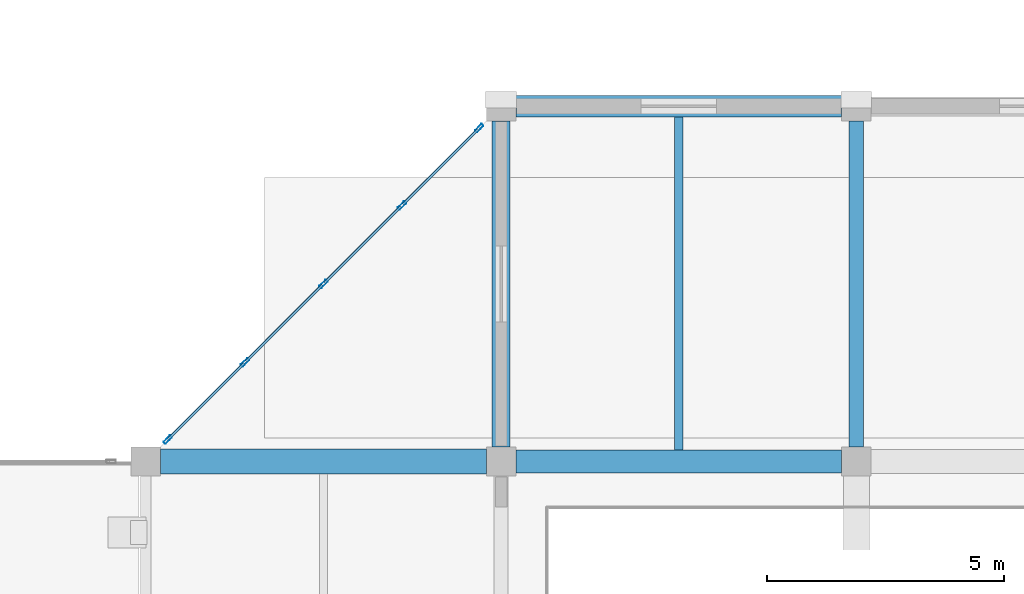
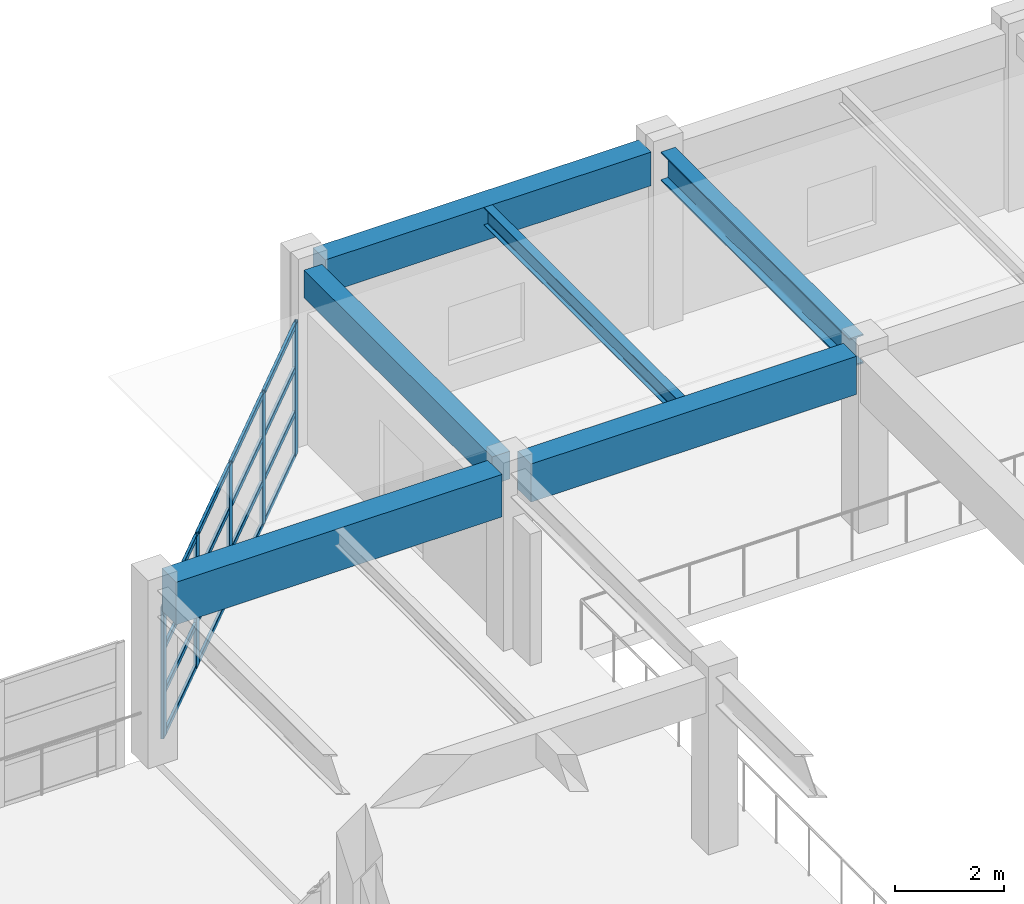
# One storey, part 68 of 132: 21 members, 6 beams, 1 element without a shape of its own.
"""IFC4 building model written with IfcOpenShell, lengths in metres."""

from ifc_helpers import new_model, si_unit, direction, frame, origin, origin_2d, place, context, subcontext, project, spatial, rectangle, hollow_rectangle, i_section, extrude, material, material_profile, profile_set, type_object, element, aggregate, save


model = new_model("IFC4")

# Units and contexts
model_context = context("Model", 3, precision=1e-05, world=origin(), true_north=direction((0.0, 1.0)))
body_context = subcontext(model_context, "Body", "Model", "MODEL_VIEW")
ifc_project = project(units=[si_unit("LENGTHUNIT", "METRE"), si_unit("AREAUNIT", "SQUARE_METRE"), si_unit("VOLUMEUNIT", "CUBIC_METRE"), si_unit("PLANEANGLEUNIT", "RADIAN"), si_unit("MASSUNIT", "GRAM", prefix="KILO")], contexts=[model_context])

# Site, building, storey
site_placement = place(None, origin())
site = spatial("IfcSite", under=ifc_project, at=site_placement, CompositionType="ELEMENT")
building_placement = place(site_placement, origin())
building = spatial("IfcBuilding", under=site, at=building_placement, Name="Qasida Concert Hall", CompositionType="ELEMENT")
storey_placement = place(building_placement, frame((0.0, 0.0, 4.800048828125)))
storey = spatial("IfcBuildingStorey", under=building, at=storey_placement, Name="L01", CompositionType="ELEMENT", Elevation=4.800048828125)

# Beams
ifc_material_1 = material(Name="Concrete C40/50", Category="concrete")
ifc_material_profile_1 = material_profile(ifc_material_1, rectangle(XDim=0.3798828125, YDim=0.6201171875, at=origin_2d()), Name="RC 380x620")
ifc_profile_set_1 = profile_set([ifc_material_profile_1], Name="Concrete C40/50")
beam_type_1 = type_object("IfcBeamType", Name="BM-B10", PredefinedType="BEAM", material=ifc_profile_set_1)
beam_1_placement = place(storey_placement, frame((135.0, 22.81005859375, 3.60986328125), z_axis=(0.0, 1.0, 0.0), x_axis=(-1.0, 0.0, 0.0)))
element("IfcBeam", 1, at=beam_1_placement, inside=storey, type_object=beam_type_1, Name="L01 girder 0875", PredefinedType="BEAM", context=body_context, shape_type="SweptSolid", body=[
    extrude(rectangle(XDim=0.3798828125, YDim=0.6201171875, at=origin_2d()), origin(), (0.0, 0.0, 1.0), 6.8798828125),
])
ifc_material_2 = material(Name="Steel S355J2", Category="steel")
ifc_material_profile_2 = material_profile(ifc_material_2, i_section(OverallWidth=0.300048828125, OverallDepth=0.64990234375, WebThickness=0.01611328125, FlangeThickness=0.031005859375, FilletRadius=0.027099609375, at=origin_2d()), Name="HEB 650")
ifc_profile_set_2 = profile_set([ifc_material_profile_2], Name="Steel S355J2")
beam_type_2 = type_object("IfcBeamType", Name="BM-B13", PredefinedType="BEAM", material=ifc_profile_set_2)
beam_2_placement = place(storey_placement, frame((142.5, 22.81005859375, 3.594970703125), z_axis=(0.0, 1.0, 0.0), x_axis=(-1.0, 0.0, 0.0)))
element("IfcBeam", 2, at=beam_2_placement, inside=storey, type_object=beam_type_2, Name="L01 girder 0878", PredefinedType="BEAM", context=body_context, shape_type="SweptSolid", body=[
    extrude(i_section(OverallWidth=0.300048828125, OverallDepth=0.64990234375, WebThickness=0.01611328125, FlangeThickness=0.031005859375, FilletRadius=0.027099609375, at=origin_2d()), origin(), (0.0, 0.0, 1.0), 6.8798828125),
])
ifc_material_profile_3 = material_profile(ifc_material_1, rectangle(XDim=0.47998046875, YDim=0.85009765625, at=origin_2d()), Name="RC 480x850")
ifc_profile_set_3 = profile_set([ifc_material_profile_3], Name="Concrete C40/50")
beam_type_3 = type_object("IfcBeamType", Name="BM-G6", PredefinedType="USERDEFINED", material=ifc_profile_set_3)
beam_3_placement = place(storey_placement, frame((135.31005859375, 22.5, 3.494873046875), z_axis=(1.0, 0.0, 0.0), x_axis=(0.0, 1.0, 0.0)))
element("IfcBeam", 3, at=beam_3_placement, inside=storey, type_object=beam_type_3, Name="Primary girder 0863", ObjectType="GIRDER", PredefinedType="USERDEFINED", context=body_context, shape_type="SweptSolid", body=[
    extrude(rectangle(XDim=0.47998046875, YDim=0.85009765625, at=origin_2d()), origin(), (0.0, 0.0, 1.0), 6.8798828125),
])
ifc_material_profile_4 = material_profile(ifc_material_1, rectangle(XDim=0.52001953125, YDim=0.949951171875, at=origin_2d()), Name="RC 520x950")
ifc_profile_set_4 = profile_set([ifc_material_profile_4], Name="Concrete C40/50")
beam_type_4 = type_object("IfcBeamType", Name="BM-G7", PredefinedType="USERDEFINED", material=ifc_profile_set_4)
beam_4_placement = place(storey_placement, frame((127.81005859375, 22.5, 3.445068359375), z_axis=(1.0, 0.0, 0.0), x_axis=(0.0, 1.0, 0.0)))
element("IfcBeam", 4, at=beam_4_placement, inside=storey, type_object=beam_type_4, Name="Primary girder 0862", ObjectType="GIRDER", PredefinedType="USERDEFINED", context=body_context, shape_type="SweptSolid", body=[
    extrude(rectangle(XDim=0.52001953125, YDim=0.949951171875, at=origin_2d()), origin(), (0.0, 0.0, 1.0), 6.8798828125),
])
ifc_material_profile_5 = material_profile(ifc_material_2, i_section(OverallWidth=0.179931640625, OverallDepth=0.39990234375, WebThickness=0.008544921875, FlangeThickness=0.013427734375, FilletRadius=0.02099609375, at=origin_2d()), Name="IPE 400")
ifc_profile_set_5 = profile_set([ifc_material_profile_5], Name="Steel S355J2")
beam_type_5 = type_object("IfcBeamType", Name="BM-J3", PredefinedType="JOIST", material=ifc_profile_set_5)
beam_5_placement = place(storey_placement, frame((138.75, 22.739990234375, 3.719970703125), z_axis=(0.0, 1.0, 0.0), x_axis=(-1.0, 0.0, 0.0)))
element("IfcBeam", 5, at=beam_5_placement, inside=storey, type_object=beam_type_5, Name="L01 secondary joist 0890", PredefinedType="JOIST", context=body_context, shape_type="SweptSolid", body=[
    extrude(i_section(OverallWidth=0.179931640625, OverallDepth=0.39990234375, WebThickness=0.008544921875, FlangeThickness=0.013427734375, FilletRadius=0.02099609375, at=origin_2d()), origin(), (0.0, 0.0, 1.0), 7.034912109375),
])
ifc_material_profile_6 = material_profile(ifc_material_1, rectangle(XDim=0.449951171875, YDim=0.75, at=origin_2d()), Name="RC 450x750")
ifc_profile_set_6 = profile_set([ifc_material_profile_6], Name="Concrete C40/50")
beam_type_6 = type_object("IfcBeamType", Name="BM-SP4", PredefinedType="SPANDREL", material=ifc_profile_set_6)
beam_6_placement = place(storey_placement, frame((135.31005859375, 30.0, 3.544921875), z_axis=(1.0, 0.0, 0.0), x_axis=(0.0, 1.0, 0.0)))
element("IfcBeam", 6, at=beam_6_placement, inside=storey, type_object=beam_type_6, Name="Primary girder 0867", PredefinedType="SPANDREL", context=body_context, shape_type="SweptSolid", body=[
    extrude(rectangle(XDim=0.449951171875, YDim=0.75, at=origin_2d()), origin(), (0.0, 0.0, 1.0), 6.8798828125),
])

# Curtain wall, members
ifc_material_3 = material(Name="Architectural bronze-anodized aluminium and low-E glass", Category="aluminium")
curtain_wall_type = type_object("IfcCurtainWallType", Name="CW-07", PredefinedType="NOTDEFINED", material=ifc_material_3)
curtain_wall_placement = place(storey_placement, origin())
curtain_wall = element("IfcCurtainWall", 7, at=curtain_wall_placement, inside=storey, type_object=curtain_wall_type, Name="L01 curtain wall CW-07 0145", PredefinedType="NOTDEFINED")
ifc_material_4 = material(Name="Architectural bronze-anodized aluminium EN AW-6063", Category="aluminium")
ifc_material_profile_7 = material_profile(ifc_material_4, hollow_rectangle(XDim=0.06494140625, YDim=0.199951171875, WallThickness=0.0048828125, InnerFilletRadius=0.0048828125, OuterFilletRadius=0.010009765625, at=origin_2d()), Name="CWM 200x65x5")
ifc_profile_set_7 = profile_set([ifc_material_profile_7], Name="Architectural bronze-anodized aluminium EN AW-6063")
member_type_1 = type_object("IfcMemberType", Name="MB-CWM-2", PredefinedType="MULLION", material=ifc_profile_set_7)
member_1_placement = place(storey_placement, frame((134.53857421875, 29.53857421875, 0.0), z_axis=(0.0, 0.0, 1.0), x_axis=(0.707106781187, -0.707106781187, 0.0)))
member_1 = element("IfcMember", 8, at=member_1_placement, type_object=member_type_1, Name="CW-07 mullion 1", PredefinedType="MULLION", context=body_context, shape_type="SweptSolid", body=[
    extrude(hollow_rectangle(XDim=0.06494140625, YDim=0.199951171875, WallThickness=0.0048828125, InnerFilletRadius=0.0048828125, OuterFilletRadius=0.010009765625, at=origin_2d()), origin(), (0.0, 0.0, 1.0), 2.93994140625),
])
member_2_placement = place(storey_placement, frame((132.90576171875, 27.90576171875, 0.0), z_axis=(0.0, 0.0, 1.0), x_axis=(0.707106781187, -0.707106781187, 0.0)))
member_2 = element("IfcMember", 9, at=member_2_placement, type_object=member_type_1, Name="CW-07 mullion 2", PredefinedType="MULLION", context=body_context, shape_type="SweptSolid", body=[
    extrude(hollow_rectangle(XDim=0.06494140625, YDim=0.199951171875, WallThickness=0.0048828125, InnerFilletRadius=0.0048828125, OuterFilletRadius=0.010009765625, at=origin_2d()), origin(), (0.0, 0.0, 1.0), 2.93994140625),
])
member_3_placement = place(storey_placement, frame((131.25, 26.25, 0.0), z_axis=(0.0, 0.0, 1.0), x_axis=(0.707106781187, -0.707106781187, 0.0)))
member_3 = element("IfcMember", 10, at=member_3_placement, type_object=member_type_1, Name="CW-07 mullion 3", PredefinedType="MULLION", context=body_context, shape_type="SweptSolid", body=[
    extrude(hollow_rectangle(XDim=0.06494140625, YDim=0.199951171875, WallThickness=0.0048828125, InnerFilletRadius=0.0048828125, OuterFilletRadius=0.010009765625, at=origin_2d()), origin(), (0.0, 0.0, 1.0), 2.93994140625),
])
member_4_placement = place(storey_placement, frame((129.59423828125, 24.59423828125, 0.0), z_axis=(0.0, 0.0, 1.0), x_axis=(0.707106781187, -0.707106781187, 0.0)))
member_4 = element("IfcMember", 11, at=member_4_placement, type_object=member_type_1, Name="CW-07 mullion 4", PredefinedType="MULLION", context=body_context, shape_type="SweptSolid", body=[
    extrude(hollow_rectangle(XDim=0.06494140625, YDim=0.199951171875, WallThickness=0.0048828125, InnerFilletRadius=0.0048828125, OuterFilletRadius=0.010009765625, at=origin_2d()), origin(), (0.0, 0.0, 1.0), 2.93994140625),
])
member_5_placement = place(storey_placement, frame((127.96142578125, 22.96142578125, 0.0), z_axis=(0.0, 0.0, 1.0), x_axis=(0.707106781187, -0.707106781187, 0.0)))
member_5 = element("IfcMember", 12, at=member_5_placement, type_object=member_type_1, Name="CW-07 mullion 5", PredefinedType="MULLION", context=body_context, shape_type="SweptSolid", body=[
    extrude(hollow_rectangle(XDim=0.06494140625, YDim=0.199951171875, WallThickness=0.0048828125, InnerFilletRadius=0.0048828125, OuterFilletRadius=0.010009765625, at=origin_2d()), origin(), (0.0, 0.0, 1.0), 2.93994140625),
])
ifc_material_profile_8 = material_profile(ifc_material_4, hollow_rectangle(XDim=0.06005859375, YDim=0.1201171875, WallThickness=0.00390625, InnerFilletRadius=0.00390625, OuterFilletRadius=0.008056640625, at=origin_2d()), Name="CWT 120x60x4")
ifc_profile_set_8 = profile_set([ifc_material_profile_8], Name="Architectural bronze-anodized aluminium EN AW-6063")
member_type_2 = type_object("IfcMemberType", Name="MB-CWT-2", PredefinedType="USERDEFINED", material=ifc_profile_set_8)
member_6_placement = place(storey_placement, frame((134.515625, 29.515625, 0.030029296875), z_axis=(-0.707106781187, -0.707106781187, 0.0), x_axis=(0.707106781187, -0.707106781187, 0.0)))
member_6 = element("IfcMember", 13, at=member_6_placement, type_object=member_type_2, Name="CW-07 transom 1.1", ObjectType="TRANSOM", PredefinedType="USERDEFINED", context=body_context, shape_type="SweptSolid", body=[
    extrude(hollow_rectangle(XDim=0.06005859375, YDim=0.1201171875, WallThickness=0.00390625, InnerFilletRadius=0.00390625, OuterFilletRadius=0.008056640625, at=origin_2d()), origin(), (0.0, 0.0, 1.0), 2.244140625),
])
member_7_placement = place(storey_placement, frame((134.515625, 29.515625, 0.97998046875), z_axis=(-0.707106781187, -0.707106781187, 0.0), x_axis=(0.707106781187, -0.707106781187, 0.0)))
member_7 = element("IfcMember", 14, at=member_7_placement, type_object=member_type_2, Name="CW-07 transom 1.2", ObjectType="TRANSOM", PredefinedType="USERDEFINED", context=body_context, shape_type="SweptSolid", body=[
    extrude(hollow_rectangle(XDim=0.06005859375, YDim=0.1201171875, WallThickness=0.00390625, InnerFilletRadius=0.00390625, OuterFilletRadius=0.008056640625, at=origin_2d()), origin(), (0.0, 0.0, 1.0), 2.244140625),
])
member_8_placement = place(storey_placement, frame((134.515625, 29.515625, 1.9599609375), z_axis=(-0.707106781187, -0.707106781187, 0.0), x_axis=(0.707106781187, -0.707106781187, 0.0)))
member_8 = element("IfcMember", 15, at=member_8_placement, type_object=member_type_2, Name="CW-07 transom 1.3", ObjectType="TRANSOM", PredefinedType="USERDEFINED", context=body_context, shape_type="SweptSolid", body=[
    extrude(hollow_rectangle(XDim=0.06005859375, YDim=0.1201171875, WallThickness=0.00390625, InnerFilletRadius=0.00390625, OuterFilletRadius=0.008056640625, at=origin_2d()), origin(), (0.0, 0.0, 1.0), 2.244140625),
])
member_9_placement = place(storey_placement, frame((134.515625, 29.515625, 2.909912109375), z_axis=(-0.707106781187, -0.707106781187, 0.0), x_axis=(0.707106781187, -0.707106781187, 0.0)))
member_9 = element("IfcMember", 16, at=member_9_placement, type_object=member_type_2, Name="CW-07 transom 1.4", ObjectType="TRANSOM", PredefinedType="USERDEFINED", context=body_context, shape_type="SweptSolid", body=[
    extrude(hollow_rectangle(XDim=0.06005859375, YDim=0.1201171875, WallThickness=0.00390625, InnerFilletRadius=0.00390625, OuterFilletRadius=0.008056640625, at=origin_2d()), origin(), (0.0, 0.0, 1.0), 2.244140625),
])
member_10_placement = place(storey_placement, frame((132.8828125, 27.8828125, 0.030029296875), z_axis=(-0.707106781187, -0.707106781187, 0.0), x_axis=(0.707106781187, -0.707106781187, 0.0)))
member_10 = element("IfcMember", 17, at=member_10_placement, type_object=member_type_2, Name="CW-07 transom 2.1", ObjectType="TRANSOM", PredefinedType="USERDEFINED", context=body_context, shape_type="SweptSolid", body=[
    extrude(hollow_rectangle(XDim=0.06005859375, YDim=0.1201171875, WallThickness=0.00390625, InnerFilletRadius=0.00390625, OuterFilletRadius=0.008056640625, at=origin_2d()), origin(), (0.0, 0.0, 1.0), 2.276611328125),
])
member_11_placement = place(storey_placement, frame((132.8828125, 27.8828125, 0.97998046875), z_axis=(-0.707106781187, -0.707106781187, 0.0), x_axis=(0.707106781187, -0.707106781187, 0.0)))
member_11 = element("IfcMember", 18, at=member_11_placement, type_object=member_type_2, Name="CW-07 transom 2.2", ObjectType="TRANSOM", PredefinedType="USERDEFINED", context=body_context, shape_type="SweptSolid", body=[
    extrude(hollow_rectangle(XDim=0.06005859375, YDim=0.1201171875, WallThickness=0.00390625, InnerFilletRadius=0.00390625, OuterFilletRadius=0.008056640625, at=origin_2d()), origin(), (0.0, 0.0, 1.0), 2.276611328125),
])
member_12_placement = place(storey_placement, frame((132.8828125, 27.8828125, 1.9599609375), z_axis=(-0.707106781187, -0.707106781187, 0.0), x_axis=(0.707106781187, -0.707106781187, 0.0)))
member_12 = element("IfcMember", 19, at=member_12_placement, type_object=member_type_2, Name="CW-07 transom 2.3", ObjectType="TRANSOM", PredefinedType="USERDEFINED", context=body_context, shape_type="SweptSolid", body=[
    extrude(hollow_rectangle(XDim=0.06005859375, YDim=0.1201171875, WallThickness=0.00390625, InnerFilletRadius=0.00390625, OuterFilletRadius=0.008056640625, at=origin_2d()), origin(), (0.0, 0.0, 1.0), 2.276611328125),
])
member_13_placement = place(storey_placement, frame((132.8828125, 27.8828125, 2.909912109375), z_axis=(-0.707106781187, -0.707106781187, 0.0), x_axis=(0.707106781187, -0.707106781187, 0.0)))
member_13 = element("IfcMember", 20, at=member_13_placement, type_object=member_type_2, Name="CW-07 transom 2.4", ObjectType="TRANSOM", PredefinedType="USERDEFINED", context=body_context, shape_type="SweptSolid", body=[
    extrude(hollow_rectangle(XDim=0.06005859375, YDim=0.1201171875, WallThickness=0.00390625, InnerFilletRadius=0.00390625, OuterFilletRadius=0.008056640625, at=origin_2d()), origin(), (0.0, 0.0, 1.0), 2.276611328125),
])
member_14_placement = place(storey_placement, frame((131.22705078125, 26.22705078125, 0.030029296875), z_axis=(-0.707106781187, -0.707106781187, 0.0), x_axis=(0.707106781187, -0.707106781187, 0.0)))
member_14 = element("IfcMember", 21, at=member_14_placement, type_object=member_type_2, Name="CW-07 transom 3.1", ObjectType="TRANSOM", PredefinedType="USERDEFINED", context=body_context, shape_type="SweptSolid", body=[
    extrude(hollow_rectangle(XDim=0.06005859375, YDim=0.1201171875, WallThickness=0.00390625, InnerFilletRadius=0.00390625, OuterFilletRadius=0.008056640625, at=origin_2d()), origin(), (0.0, 0.0, 1.0), 2.276611328125),
])
member_15_placement = place(storey_placement, frame((131.22705078125, 26.22705078125, 0.97998046875), z_axis=(-0.707106781187, -0.707106781187, 0.0), x_axis=(0.707106781187, -0.707106781187, 0.0)))
member_15 = element("IfcMember", 22, at=member_15_placement, type_object=member_type_2, Name="CW-07 transom 3.2", ObjectType="TRANSOM", PredefinedType="USERDEFINED", context=body_context, shape_type="SweptSolid", body=[
    extrude(hollow_rectangle(XDim=0.06005859375, YDim=0.1201171875, WallThickness=0.00390625, InnerFilletRadius=0.00390625, OuterFilletRadius=0.008056640625, at=origin_2d()), origin(), (0.0, 0.0, 1.0), 2.276611328125),
])
member_16_placement = place(storey_placement, frame((131.22705078125, 26.22705078125, 1.9599609375), z_axis=(-0.707106781187, -0.707106781187, 0.0), x_axis=(0.707106781187, -0.707106781187, 0.0)))
member_16 = element("IfcMember", 23, at=member_16_placement, type_object=member_type_2, Name="CW-07 transom 3.3", ObjectType="TRANSOM", PredefinedType="USERDEFINED", context=body_context, shape_type="SweptSolid", body=[
    extrude(hollow_rectangle(XDim=0.06005859375, YDim=0.1201171875, WallThickness=0.00390625, InnerFilletRadius=0.00390625, OuterFilletRadius=0.008056640625, at=origin_2d()), origin(), (0.0, 0.0, 1.0), 2.276611328125),
])
member_17_placement = place(storey_placement, frame((131.22705078125, 26.22705078125, 2.909912109375), z_axis=(-0.707106781187, -0.707106781187, 0.0), x_axis=(0.707106781187, -0.707106781187, 0.0)))
member_17 = element("IfcMember", 24, at=member_17_placement, type_object=member_type_2, Name="CW-07 transom 3.4", ObjectType="TRANSOM", PredefinedType="USERDEFINED", context=body_context, shape_type="SweptSolid", body=[
    extrude(hollow_rectangle(XDim=0.06005859375, YDim=0.1201171875, WallThickness=0.00390625, InnerFilletRadius=0.00390625, OuterFilletRadius=0.008056640625, at=origin_2d()), origin(), (0.0, 0.0, 1.0), 2.276611328125),
])
member_18_placement = place(storey_placement, frame((129.5712890625, 24.5712890625, 0.030029296875), z_axis=(-0.707106781187, -0.707106781187, 0.0), x_axis=(0.707106781187, -0.707106781187, 0.0)))
member_18 = element("IfcMember", 25, at=member_18_placement, type_object=member_type_2, Name="CW-07 transom 4.1", ObjectType="TRANSOM", PredefinedType="USERDEFINED", context=body_context, shape_type="SweptSolid", body=[
    extrude(hollow_rectangle(XDim=0.06005859375, YDim=0.1201171875, WallThickness=0.00390625, InnerFilletRadius=0.00390625, OuterFilletRadius=0.008056640625, at=origin_2d()), origin(), (0.0, 0.0, 1.0), 2.244140625),
])
member_19_placement = place(storey_placement, frame((129.5712890625, 24.5712890625, 0.97998046875), z_axis=(-0.707106781187, -0.707106781187, 0.0), x_axis=(0.707106781187, -0.707106781187, 0.0)))
member_19 = element("IfcMember", 26, at=member_19_placement, type_object=member_type_2, Name="CW-07 transom 4.2", ObjectType="TRANSOM", PredefinedType="USERDEFINED", context=body_context, shape_type="SweptSolid", body=[
    extrude(hollow_rectangle(XDim=0.06005859375, YDim=0.1201171875, WallThickness=0.00390625, InnerFilletRadius=0.00390625, OuterFilletRadius=0.008056640625, at=origin_2d()), origin(), (0.0, 0.0, 1.0), 2.244140625),
])
member_20_placement = place(storey_placement, frame((129.5712890625, 24.5712890625, 1.9599609375), z_axis=(-0.707106781187, -0.707106781187, 0.0), x_axis=(0.707106781187, -0.707106781187, 0.0)))
member_20 = element("IfcMember", 27, at=member_20_placement, type_object=member_type_2, Name="CW-07 transom 4.3", ObjectType="TRANSOM", PredefinedType="USERDEFINED", context=body_context, shape_type="SweptSolid", body=[
    extrude(hollow_rectangle(XDim=0.06005859375, YDim=0.1201171875, WallThickness=0.00390625, InnerFilletRadius=0.00390625, OuterFilletRadius=0.008056640625, at=origin_2d()), origin(), (0.0, 0.0, 1.0), 2.244140625),
])
member_21_placement = place(storey_placement, frame((129.5712890625, 24.5712890625, 2.909912109375), z_axis=(-0.707106781187, -0.707106781187, 0.0), x_axis=(0.707106781187, -0.707106781187, 0.0)))
member_21 = element("IfcMember", 28, at=member_21_placement, type_object=member_type_2, Name="CW-07 transom 4.4", ObjectType="TRANSOM", PredefinedType="USERDEFINED", context=body_context, shape_type="SweptSolid", body=[
    extrude(hollow_rectangle(XDim=0.06005859375, YDim=0.1201171875, WallThickness=0.00390625, InnerFilletRadius=0.00390625, OuterFilletRadius=0.008056640625, at=origin_2d()), origin(), (0.0, 0.0, 1.0), 2.244140625),
])
aggregate(curtain_wall, [member_1, member_2, member_3, member_4, member_5, member_6, member_7, member_8, member_9, member_10, member_11, member_12, member_13, member_14, member_15, member_16, member_17, member_18, member_19, member_20, member_21])

save(model, "model.ifc")
